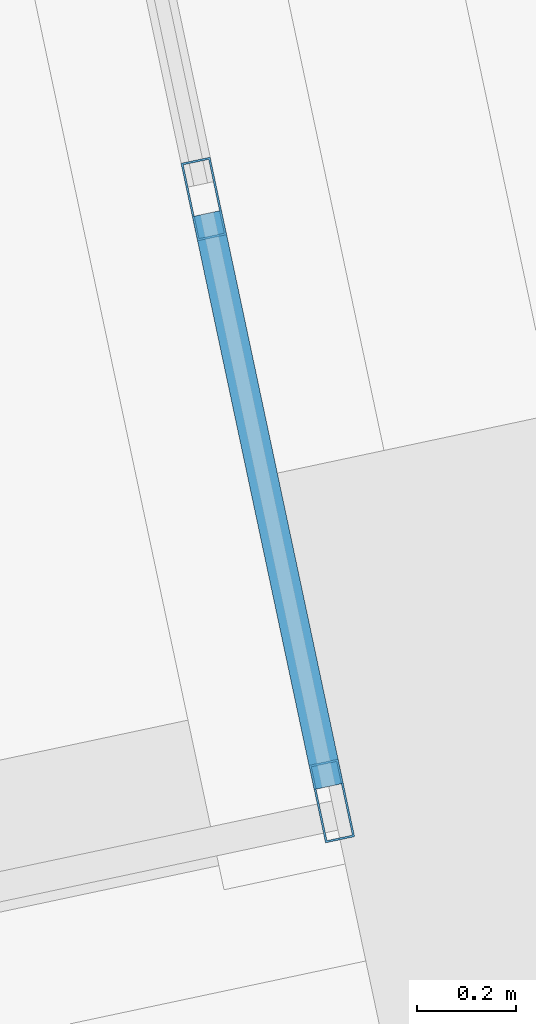
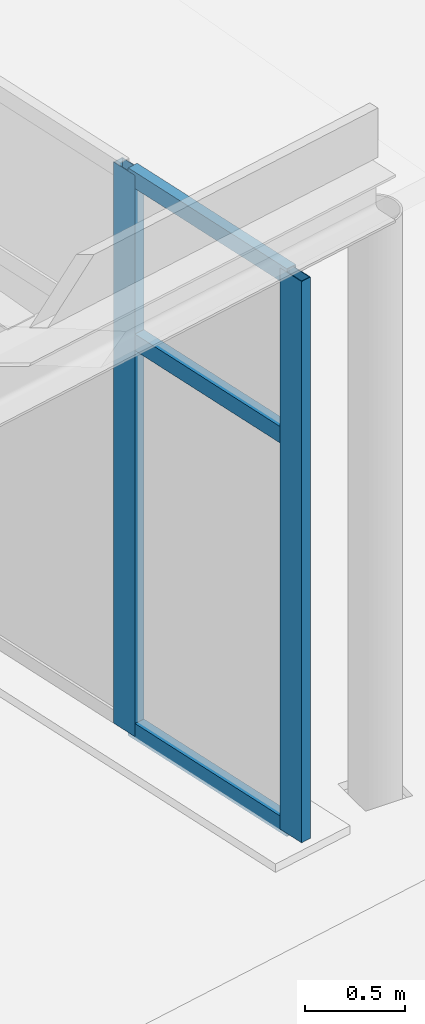
# One storey, part 78 of 239: 5 members, 1 element without a shape of its own.
"""IFC4 building model written with IfcOpenShell, lengths in metres."""

from ifc_helpers import new_model, si_unit, direction, frame, origin, origin_2d, place, context, subcontext, project, spatial, hollow_rectangle, extrude, material, material_profile, profile_set, type_object, element, aggregate, save


model = new_model("IFC4")

# Units and contexts
model_context = context("Model", 3, precision=1e-05, world=origin(), true_north=direction((0.0, 1.0)))
body_context = subcontext(model_context, "Body", "Model", "MODEL_VIEW")
ifc_project = project(units=[si_unit("LENGTHUNIT", "METRE"), si_unit("AREAUNIT", "SQUARE_METRE"), si_unit("VOLUMEUNIT", "CUBIC_METRE"), si_unit("PLANEANGLEUNIT", "RADIAN"), si_unit("MASSUNIT", "GRAM", prefix="KILO")], contexts=[model_context])

# Site, building, storey
site_placement = place(None, origin())
site = spatial("IfcSite", under=ifc_project, at=site_placement, CompositionType="ELEMENT")
building_placement = place(site_placement, origin())
building = spatial("IfcBuilding", under=site, at=building_placement, Name="Okhra Congress Centre", CompositionType="ELEMENT")
storey_placement = place(building_placement, origin())
storey = spatial("IfcBuildingStorey", under=building, at=storey_placement, Name="L00", CompositionType="ELEMENT", Elevation=0.0)

# Curtain wall, members
ifc_material_1 = material(Name="Aluminium curtain wall, triple glazing", Category="aluminium")
curtain_wall_type = type_object("IfcCurtainWallType", Name="Curtain wall 1200 module", PredefinedType="NOTDEFINED", material=ifc_material_1)
curtain_wall_placement = place(storey_placement, origin())
curtain_wall = element("IfcCurtainWall", 1, at=curtain_wall_placement, inside=storey, type_object=curtain_wall_type, Name="Porch glazed side 2", PredefinedType="NOTDEFINED")
ifc_material_2 = material(Name="Aluminium alloy EN AW-6063 T66", Category="aluminium")
ifc_material_profile_1 = material_profile(ifc_material_2, hollow_rectangle(XDim=0.06005859375, YDim=0.159912109375, WallThickness=0.00390625, at=origin_2d()), Name="RHS 60x160x4")
ifc_profile_set_1 = profile_set([ifc_material_profile_1], Name="Aluminium alloy EN AW-6063 T66")
member_type_1 = type_object("IfcMemberType", Name="Curtain wall mullion 60x160", PredefinedType="MULLION", material=ifc_profile_set_1)
member_1_placement = place(storey_placement, frame((158.730712890625, 40.352294921875, 0.0), z_axis=(0.0, 0.0, 1.0), x_axis=(-0.978147600734, -0.207911690818, 0.0)))
member_1 = element("IfcMember", 2, at=member_1_placement, type_object=member_type_1, Name="CW8 mullion 1", PredefinedType="MULLION", context=body_context, shape_type="SweptSolid", body=[
    extrude(hollow_rectangle(XDim=0.06005859375, YDim=0.159912109375, WallThickness=0.00390625, at=origin_2d()), origin(), (0.0, 0.0, 1.0), 3.415771484375),
])
member_2_placement = place(storey_placement, frame((158.472412109375, 41.56689453125, 0.0), z_axis=(0.0, 0.0, 1.0), x_axis=(-0.978147600734, -0.207911690818, 0.0)))
member_2 = element("IfcMember", 3, at=member_2_placement, type_object=member_type_1, Name="CW8 mullion 2", PredefinedType="MULLION", context=body_context, shape_type="SweptSolid", body=[
    extrude(hollow_rectangle(XDim=0.06005859375, YDim=0.159912109375, WallThickness=0.00390625, at=origin_2d()), origin(), (0.0, 0.0, 1.0), 3.415771484375),
])
ifc_material_profile_2 = material_profile(ifc_material_2, hollow_rectangle(XDim=0.06005859375, YDim=0.10009765625, WallThickness=0.00390625, at=origin_2d()), Name="RHS 60x100x4")
ifc_profile_set_2 = profile_set([ifc_material_profile_2], Name="Aluminium alloy EN AW-6063 T66")
member_type_2 = type_object("IfcMemberType", Name="Curtain wall transom 60x100", PredefinedType="USERDEFINED", material=ifc_profile_set_2)
member_3_placement = place(storey_placement, frame((158.724365234375, 40.381591796875, 0.030029296875), z_axis=(-0.207821695028, 0.978166725602, 0.0), x_axis=(-0.978166725602, -0.207821695028, 0.0)))
member_3 = element("IfcMember", 4, at=member_3_placement, type_object=member_type_2, Name="CW8 transom 1.1", ObjectType="TRANSOM", PredefinedType="USERDEFINED", context=body_context, shape_type="SweptSolid", body=[
    extrude(hollow_rectangle(XDim=0.06005859375, YDim=0.10009765625, WallThickness=0.00390625, at=origin_2d()), origin(), (0.0, 0.0, 1.0), 1.181884765625),
])
member_4_placement = place(storey_placement, frame((158.724365234375, 40.381591796875, 2.39990234375), z_axis=(-0.207821695028, 0.978166725602, 0.0), x_axis=(-0.978166725602, -0.207821695028, 0.0)))
member_4 = element("IfcMember", 5, at=member_4_placement, type_object=member_type_2, Name="CW8 transom 1.2", ObjectType="TRANSOM", PredefinedType="USERDEFINED", context=body_context, shape_type="SweptSolid", body=[
    extrude(hollow_rectangle(XDim=0.06005859375, YDim=0.10009765625, WallThickness=0.00390625, at=origin_2d()), origin(), (0.0, 0.0, 1.0), 1.181884765625),
])
member_5_placement = place(storey_placement, frame((158.724365234375, 40.381591796875, 3.3857421875), z_axis=(-0.207821695028, 0.978166725602, 0.0), x_axis=(-0.978166725602, -0.207821695028, 0.0)))
member_5 = element("IfcMember", 6, at=member_5_placement, type_object=member_type_2, Name="CW8 transom 1.3", ObjectType="TRANSOM", PredefinedType="USERDEFINED", context=body_context, shape_type="SweptSolid", body=[
    extrude(hollow_rectangle(XDim=0.06005859375, YDim=0.10009765625, WallThickness=0.00390625, at=origin_2d()), origin(), (0.0, 0.0, 1.0), 1.181884765625),
])
aggregate(curtain_wall, [member_1, member_2, member_3, member_4, member_5])

save(model, "model.ifc")
